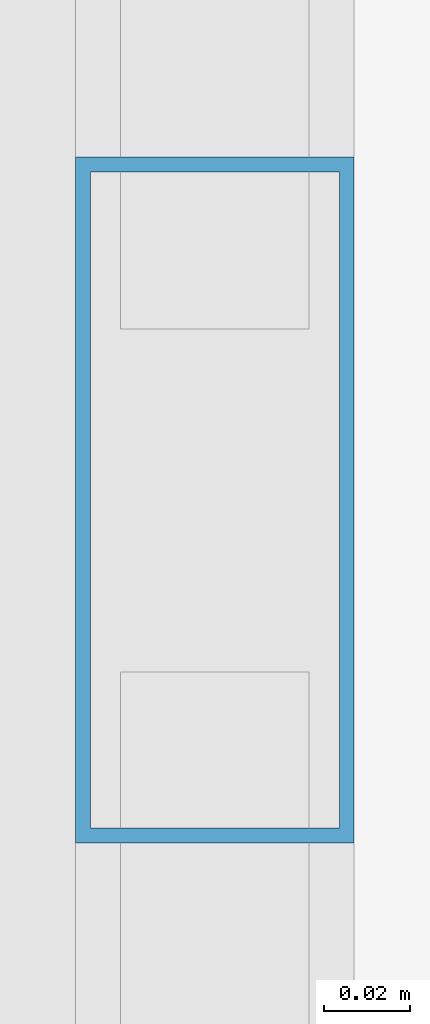
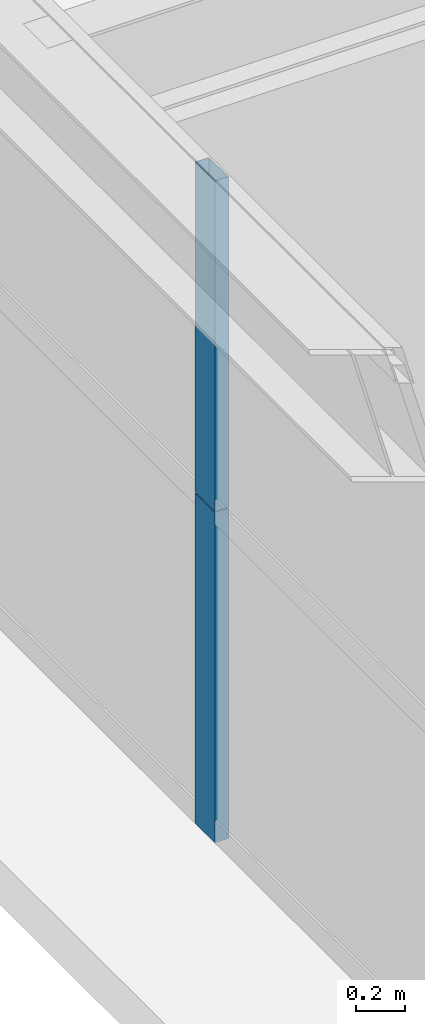
# One storey, part 8 of 38: 2 members, 1 element without a shape of its own.
"""IFC4 building model written with IfcOpenShell, lengths in metres."""

from ifc_helpers import new_model, si_unit, direction, frame, origin, origin_2d, place, context, subcontext, project, spatial, hollow_rectangle, extrude, source, transform, mapped, material, layer, layer_set, material_profile, profile_set, type_object, element, aggregate, save


model = new_model("IFC4")

# Units and contexts
model_context = context("Model", 3, precision=1e-05, world=origin(), true_north=direction((0.0, 1.0)))
body_context = subcontext(model_context, "Body", "Model", "MODEL_VIEW")
ifc_project = project(units=[si_unit("LENGTHUNIT", "METRE"), si_unit("AREAUNIT", "SQUARE_METRE"), si_unit("VOLUMEUNIT", "CUBIC_METRE"), si_unit("PLANEANGLEUNIT", "RADIAN"), si_unit("MASSUNIT", "GRAM", prefix="KILO"), si_unit("THERMODYNAMICTEMPERATUREUNIT", "KELVIN"), si_unit("POWERUNIT", "WATT")], contexts=[model_context])

# Site, building, storey
site_placement = place(None, origin())
site = spatial("IfcSite", under=ifc_project, at=site_placement, CompositionType="ELEMENT")
building_placement = place(site_placement, origin())
building = spatial("IfcBuilding", under=site, at=building_placement, Name="Yuzanri Waterfront Tower", CompositionType="ELEMENT")
storey_placement = place(building_placement, frame((0.0, 0.0, 181.0)))
storey = spatial("IfcBuildingStorey", under=building, at=storey_placement, Name="L47", CompositionType="ELEMENT", Elevation=181.0)

# Curtain wall, members
ifc_material_1 = material(Name="Anodized Architectural Bronze", Category="metal")
ifc_layer = layer(ifc_material_1, 0.159912109375)
ifc_layer_set = layer_set([ifc_layer], Name="Anodized Architectural Bronze")
curtain_wall_type = type_object("IfcCurtainWallType", Name="Anodized Bronze Mid-Rise Residential Acoustic Unitized Curtain Wall 7200", PredefinedType="NOTDEFINED", material=ifc_layer_set)
curtain_wall_placement = place(storey_placement, origin())
curtain_wall = element("IfcCurtainWall", 1, at=curtain_wall_placement, inside=storey, type_object=curtain_wall_type, Name="L47 Curtain Wall CW-L47-WL", PredefinedType="NOTDEFINED")
ifc_material_2 = material(Name="Anodized Architectural Bronze", Category="metal")
ifc_material_profile = material_profile(ifc_material_2, hollow_rectangle(XDim=0.06494140625, YDim=0.159912109375, WallThickness=0.00341796875, at=origin_2d()), Name="CWM 65x160")
ifc_profile_set = profile_set([ifc_material_profile], Name="Anodized Architectural Bronze")
member_type = type_object("IfcMemberType", Name="Anodized Bronze Upper-Zone Curtain-Wall Mullion 65x160", PredefinedType="MULLION", material=ifc_profile_set)
shared_shape = source(origin(), body_context, "Body", "SweptSolid", [
    extrude(hollow_rectangle(XDim=0.06494140625, YDim=0.159912109375, WallThickness=0.00341796875, at=origin_2d()), origin(), (0.0, 0.0, 1.0), 1.637939453125),
])
member_1_placement = place(storey_placement, frame((15.050048828125, 18.22509765625, 0.0), z_axis=(0.0, 0.0, 1.0), x_axis=(1.0, 0.0, 0.0)))
member_1 = element("IfcMember", 2, at=member_1_placement, type_object=member_type, Name="CW-L47-WL Lower Mullion 01", PredefinedType="MULLION", context=body_context, shape_type="MappedRepresentation", body=[
    mapped(shared_shape, transform((0.0, 0.0, 0.0), scale=1.0)),
])
member_2_placement = place(storey_placement, frame((15.050048828125, 18.22509765625, 1.64208984375), z_axis=(0.0, 0.0, 1.0), x_axis=(1.0, 0.0, 0.0)))
member_2 = element("IfcMember", 3, at=member_2_placement, type_object=member_type, Name="CW-L47-WL Upper Mullion 01", PredefinedType="MULLION", context=body_context, shape_type="MappedRepresentation", body=[
    mapped(shared_shape, transform((0.0, 0.0, 0.0), scale=1.0)),
])
aggregate(curtain_wall, [member_1, member_2])

save(model, "model.ifc")
